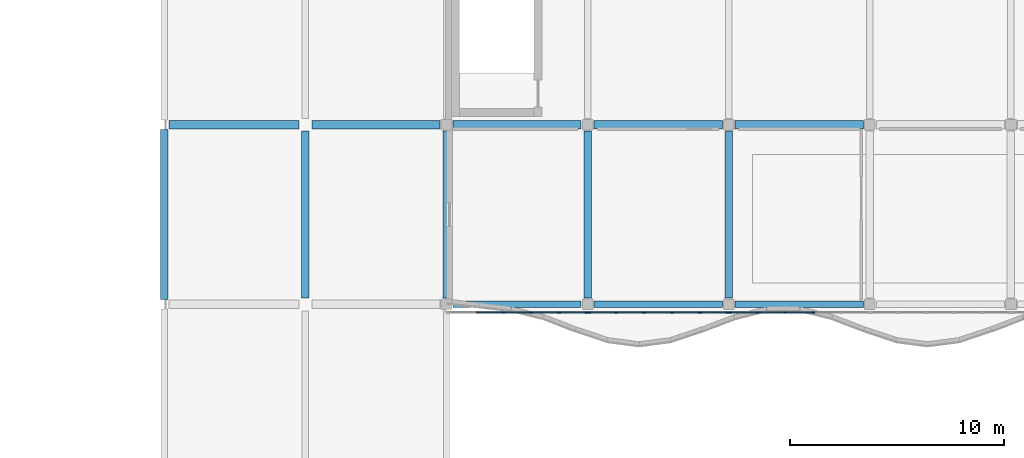
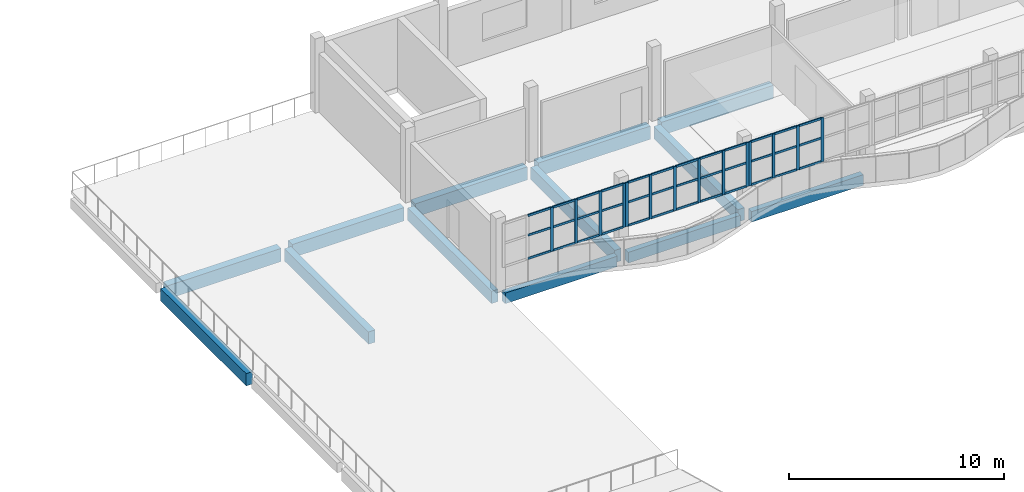
# One storey, part 18 of 78: 50 members, 13 beams, 3 elements without a shape of their own.
"""IFC4 building model written with IfcOpenShell, lengths in metres."""

from ifc_helpers import new_model, si_unit, direction, frame, origin, origin_2d, place, context, subcontext, project, spatial, rectangle, extrude, material, material_profile, profile_set, type_object, element, aggregate, save


model = new_model("IFC4")

# Units and contexts
model_context = context("Model", 3, precision=1e-05, world=origin(), true_north=direction((0.0, 1.0)))
body_context = subcontext(model_context, "Body", "Model", "MODEL_VIEW")
ifc_project = project(units=[si_unit("LENGTHUNIT", "METRE"), si_unit("AREAUNIT", "SQUARE_METRE"), si_unit("VOLUMEUNIT", "CUBIC_METRE"), si_unit("PLANEANGLEUNIT", "RADIAN"), si_unit("MASSUNIT", "GRAM", prefix="KILO")], contexts=[model_context])

# Site, building, storey
site_placement = place(None, origin())
site = spatial("IfcSite", under=ifc_project, at=site_placement, CompositionType="ELEMENT")
building_placement = place(site_placement, origin())
building = spatial("IfcBuilding", under=site, at=building_placement, Name="Qaldarim Faculty of Natural and Applied Sciences", CompositionType="ELEMENT")
storey_placement = place(building_placement, frame((0.0, 0.0, 18.60009765625)))
storey = spatial("IfcBuildingStorey", under=building, at=storey_placement, Name="L04", CompositionType="ELEMENT", Elevation=18.60009765625)

# Beams
ifc_material_1 = material(Name="Concrete C50/60", Category="concrete")
ifc_material_profile_1 = material_profile(ifc_material_1, rectangle(XDim=0.39990234375, YDim=0.75, at=origin_2d()), Name="RC-B400x750")
ifc_profile_set_1 = profile_set([ifc_material_profile_1], Name="Concrete C50/60")
beam_type_1 = type_object("IfcBeamType", Name="LabGirder-RC400x750", PredefinedType="BEAM", material=ifc_profile_set_1)
beam_1_placement = place(storey_placement, frame((33.22509765625, 109.199951171875, -0.635009765625), z_axis=(1.0, 0.0, 0.0), x_axis=(0.0, 1.0, 0.0)))
element("IfcBeam", 1, at=beam_1_placement, inside=storey, type_object=beam_type_1, Name="Beam RC-B400x750 L03 X06-X07/Y14", PredefinedType="BEAM", context=body_context, shape_type="SweptSolid", body=[
    extrude(rectangle(XDim=0.39990234375, YDim=0.75, at=origin_2d()), origin(), (0.0, 0.0, 1.0), 6.074951171875),
])
for number, where, z_axis, x_axis, name in (
    (2, (39.89990234375, 109.199951171875, -0.635009765625), (1.0, 0.0, 0.0), (0.0, 1.0, 0.0), "Beam RC-B400x750 L03 X07-X08/Y14"),
    (3, (46.5, 109.199951171875, -0.635009765625), (1.0, 0.0, 0.0), (0.0, 1.0, 0.0), "Beam RC-B400x750 L03 X08-X09/Y14"),
    (4, (53.10009765625, 109.199951171875, -0.635009765625), (1.0, 0.0, 0.0), (0.0, 1.0, 0.0), "Beam RC-B400x750 L03 X09-X10/Y14"),
    (5, (59.699951171875, 109.199951171875, -0.635009765625), (1.0, 0.0, 0.0), (0.0, 1.0, 0.0), "Beam RC-B400x750 L03 X10-X11/Y14"),
):
    element("IfcBeam", number, at=place(storey_placement, frame(where, z_axis=z_axis, x_axis=x_axis)), inside=storey, type_object=beam_type_1, Name=name, PredefinedType="BEAM", context=body_context, shape_type="SweptSolid", body=[
        extrude(rectangle(XDim=0.39990234375, YDim=0.75, at=origin_2d()), origin(), (0.0, 0.0, 1.0), 6.0),
    ])

# Curtain wall, members
ifc_material_2 = material(Name="Anodised aluminium AW-6063", Category="aluminium")
curtain_wall_type = type_object("IfcCurtainWallType", Name="CurtainWallSystem-M1400", PredefinedType="USERDEFINED", material=ifc_material_2)
curtain_wall_1_placement = place(storey_placement, origin())
curtain_wall_1 = element("IfcCurtainWall", 6, at=curtain_wall_1_placement, inside=storey, type_object=curtain_wall_type, Name="Curtain wall CW-V4RIB-L04-X08", ObjectType="STICK CURTAIN WALL", PredefinedType="USERDEFINED")
ifc_material_profile_2 = material_profile(ifc_material_2, rectangle(XDim=0.06005859375, YDim=0.14990234375, at=origin_2d()), Name="ALU-M60x150")
ifc_profile_set_2 = profile_set([ifc_material_profile_2], Name="Anodised aluminium AW-6063")
member_type_1 = type_object("IfcMemberType", Name="Mullion-ALU60x150", PredefinedType="MULLION", material=ifc_profile_set_2)
member_1_placement = place(storey_placement, frame((48.847900390625, 100.419921875, 1.449951171875), z_axis=(0.0, 0.0, 1.0), x_axis=(0.0, 1.0, 0.0)))
member_1 = element("IfcMember", 7, at=member_1_placement, type_object=member_type_1, Name="Mullion 3 of CW-V4RIB-L04-X08", PredefinedType="MULLION", context=body_context, shape_type="SweptSolid", body=[
    extrude(rectangle(XDim=0.06005859375, YDim=0.14990234375, at=origin_2d()), origin(), (0.0, 0.0, 1.0), 2.489990234375),
])
member_2_placement = place(storey_placement, frame((50.152099609375, 100.419921875, 1.449951171875), z_axis=(0.0, 0.0, 1.0), x_axis=(0.0, 1.0, 0.0)))
member_2 = element("IfcMember", 8, at=member_2_placement, type_object=member_type_1, Name="Mullion 4 of CW-V4RIB-L04-X08", PredefinedType="MULLION", context=body_context, shape_type="SweptSolid", body=[
    extrude(rectangle(XDim=0.06005859375, YDim=0.14990234375, at=origin_2d()), origin(), (0.0, 0.0, 1.0), 2.489990234375),
])
member_3_placement = place(storey_placement, frame((51.4560546875, 100.419921875, 1.449951171875), z_axis=(0.0, 0.0, 1.0), x_axis=(0.0, 1.0, 0.0)))
member_3 = element("IfcMember", 9, at=member_3_placement, type_object=member_type_1, Name="Mullion 5 of CW-V4RIB-L04-X08", PredefinedType="MULLION", context=body_context, shape_type="SweptSolid", body=[
    extrude(rectangle(XDim=0.06005859375, YDim=0.14990234375, at=origin_2d()), origin(), (0.0, 0.0, 1.0), 2.489990234375),
])
member_4_placement = place(storey_placement, frame((52.72998046875, 100.419921875, 1.449951171875), z_axis=(0.0, 0.0, 1.0), x_axis=(0.0, 1.0, 0.0)))
member_4 = element("IfcMember", 10, at=member_4_placement, type_object=member_type_1, Name="Mullion 6 of CW-V4RIB-L04-X08", PredefinedType="MULLION", context=body_context, shape_type="SweptSolid", body=[
    extrude(rectangle(XDim=0.06005859375, YDim=0.14990234375, at=origin_2d()), origin(), (0.0, 0.0, 1.0), 2.489990234375),
])

curtain_wall_2_placement = place(storey_placement, origin())
curtain_wall_2 = element("IfcCurtainWall", 11, at=curtain_wall_2_placement, inside=storey, type_object=curtain_wall_type, Name="Curtain wall CW-V4RIB-L04-X09", ObjectType="STICK CURTAIN WALL", PredefinedType="USERDEFINED")
member_5_placement = place(storey_placement, frame((52.8701171875, 100.419921875, 1.449951171875), z_axis=(0.0, 0.0, 1.0), x_axis=(0.0, 1.0, 0.0)))
member_5 = element("IfcMember", 12, at=member_5_placement, type_object=member_type_1, Name="Mullion 1 of CW-V4RIB-L04-X09", PredefinedType="MULLION", context=body_context, shape_type="SweptSolid", body=[
    extrude(rectangle(XDim=0.06005859375, YDim=0.14990234375, at=origin_2d()), origin(), (0.0, 0.0, 1.0), 2.489990234375),
])
member_6_placement = place(storey_placement, frame((54.14404296875, 100.419921875, 1.449951171875), z_axis=(0.0, 0.0, 1.0), x_axis=(0.0, 1.0, 0.0)))
member_6 = element("IfcMember", 13, at=member_6_placement, type_object=member_type_1, Name="Mullion 2 of CW-V4RIB-L04-X09", PredefinedType="MULLION", context=body_context, shape_type="SweptSolid", body=[
    extrude(rectangle(XDim=0.06005859375, YDim=0.14990234375, at=origin_2d()), origin(), (0.0, 0.0, 1.0), 2.489990234375),
])
member_7_placement = place(storey_placement, frame((55.447998046875, 100.419921875, 1.449951171875), z_axis=(0.0, 0.0, 1.0), x_axis=(0.0, 1.0, 0.0)))
member_7 = element("IfcMember", 14, at=member_7_placement, type_object=member_type_1, Name="Mullion 3 of CW-V4RIB-L04-X09", PredefinedType="MULLION", context=body_context, shape_type="SweptSolid", body=[
    extrude(rectangle(XDim=0.06005859375, YDim=0.14990234375, at=origin_2d()), origin(), (0.0, 0.0, 1.0), 2.489990234375),
])
member_8_placement = place(storey_placement, frame((56.751953125, 100.419921875, 1.449951171875), z_axis=(0.0, 0.0, 1.0), x_axis=(0.0, 1.0, 0.0)))
member_8 = element("IfcMember", 15, at=member_8_placement, type_object=member_type_1, Name="Mullion 4 of CW-V4RIB-L04-X09", PredefinedType="MULLION", context=body_context, shape_type="SweptSolid", body=[
    extrude(rectangle(XDim=0.06005859375, YDim=0.14990234375, at=origin_2d()), origin(), (0.0, 0.0, 1.0), 2.489990234375),
])
member_9_placement = place(storey_placement, frame((58.055908203125, 100.419921875, 1.449951171875), z_axis=(0.0, 0.0, 1.0), x_axis=(0.0, 1.0, 0.0)))
member_9 = element("IfcMember", 16, at=member_9_placement, type_object=member_type_1, Name="Mullion 5 of CW-V4RIB-L04-X09", PredefinedType="MULLION", context=body_context, shape_type="SweptSolid", body=[
    extrude(rectangle(XDim=0.06005859375, YDim=0.14990234375, at=origin_2d()), origin(), (0.0, 0.0, 1.0), 2.489990234375),
])
member_10_placement = place(storey_placement, frame((59.330078125, 100.419921875, 1.449951171875), z_axis=(0.0, 0.0, 1.0), x_axis=(0.0, 1.0, 0.0)))
member_10 = element("IfcMember", 17, at=member_10_placement, type_object=member_type_1, Name="Mullion 6 of CW-V4RIB-L04-X09", PredefinedType="MULLION", context=body_context, shape_type="SweptSolid", body=[
    extrude(rectangle(XDim=0.06005859375, YDim=0.14990234375, at=origin_2d()), origin(), (0.0, 0.0, 1.0), 2.489990234375),
])

curtain_wall_3_placement = place(storey_placement, origin())
curtain_wall_3 = element("IfcCurtainWall", 18, at=curtain_wall_3_placement, inside=storey, type_object=curtain_wall_type, Name="Curtain wall CW-V4RIB-L04-X10", ObjectType="STICK CURTAIN WALL", PredefinedType="USERDEFINED")
member_11_placement = place(storey_placement, frame((59.469970703125, 100.419921875, 1.449951171875), z_axis=(0.0, 0.0, 1.0), x_axis=(0.0, 1.0, 0.0)))
member_11 = element("IfcMember", 19, at=member_11_placement, type_object=member_type_1, Name="Mullion 1 of CW-V4RIB-L04-X10", PredefinedType="MULLION", context=body_context, shape_type="SweptSolid", body=[
    extrude(rectangle(XDim=0.06005859375, YDim=0.14990234375, at=origin_2d()), origin(), (0.0, 0.0, 1.0), 2.489990234375),
])
member_12_placement = place(storey_placement, frame((60.743896484375, 100.419921875, 1.449951171875), z_axis=(0.0, 0.0, 1.0), x_axis=(0.0, 1.0, 0.0)))
member_12 = element("IfcMember", 20, at=member_12_placement, type_object=member_type_1, Name="Mullion 2 of CW-V4RIB-L04-X10", PredefinedType="MULLION", context=body_context, shape_type="SweptSolid", body=[
    extrude(rectangle(XDim=0.06005859375, YDim=0.14990234375, at=origin_2d()), origin(), (0.0, 0.0, 1.0), 2.489990234375),
])
member_13_placement = place(storey_placement, frame((62.048095703125, 100.419921875, 1.449951171875), z_axis=(0.0, 0.0, 1.0), x_axis=(0.0, 1.0, 0.0)))
member_13 = element("IfcMember", 21, at=member_13_placement, type_object=member_type_1, Name="Mullion 3 of CW-V4RIB-L04-X10", PredefinedType="MULLION", context=body_context, shape_type="SweptSolid", body=[
    extrude(rectangle(XDim=0.06005859375, YDim=0.14990234375, at=origin_2d()), origin(), (0.0, 0.0, 1.0), 2.489990234375),
])
member_14_placement = place(storey_placement, frame((63.35205078125, 100.419921875, 1.449951171875), z_axis=(0.0, 0.0, 1.0), x_axis=(0.0, 1.0, 0.0)))
member_14 = element("IfcMember", 22, at=member_14_placement, type_object=member_type_1, Name="Mullion 4 of CW-V4RIB-L04-X10", PredefinedType="MULLION", context=body_context, shape_type="SweptSolid", body=[
    extrude(rectangle(XDim=0.06005859375, YDim=0.14990234375, at=origin_2d()), origin(), (0.0, 0.0, 1.0), 2.489990234375),
])

# Beams
ifc_material_3 = material(Name="Concrete C40/50", Category="concrete")
ifc_material_profile_3 = material_profile(ifc_material_3, rectangle(XDim=0.35009765625, YDim=0.699951171875, at=origin_2d()), Name="RC-B350x700")
ifc_profile_set_3 = profile_set([ifc_material_profile_3], Name="Concrete C40/50")
beam_type_2 = type_object("IfcBeamType", Name="PrimaryGirder-RC350x700", PredefinedType="BEAM", material=ifc_profile_set_3)
beam_2_placement = place(storey_placement, frame((33.0, 101.02490234375, -0.610107421875), z_axis=(0.0, 1.0, 0.0), x_axis=(-1.0, 0.0, 0.0)))
element("IfcBeam", 23, at=beam_2_placement, inside=storey, type_object=beam_type_2, Name="Beam RC-B350x700 L03 X06/Y13-Y14", PredefinedType="BEAM", context=body_context, shape_type="SweptSolid", body=[
    extrude(rectangle(XDim=0.35009765625, YDim=0.699951171875, at=origin_2d()), origin(), (0.0, 0.0, 1.0), 7.9501953125),
])
for number, where, z_axis, x_axis, name in (
    (24, (39.60009765625, 101.10009765625, -0.610107421875), (0.0, 1.0, 0.0), (-1.0, 0.0, 0.0), "Beam RC-B350x700 L03 X07/Y13-Y14"),
    (25, (46.199951171875, 101.10009765625, -0.610107421875), (0.0, 1.0, 0.0), (-1.0, 0.0, 0.0), "Beam RC-B350x700 L03 X08/Y13-Y14"),
    (26, (52.800048828125, 101.10009765625, -0.610107421875), (0.0, 1.0, 0.0), (-1.0, 0.0, 0.0), "Beam RC-B350x700 L03 X09/Y13-Y14"),
    (27, (59.39990234375, 101.10009765625, -0.610107421875), (0.0, 1.0, 0.0), (-1.0, 0.0, 0.0), "Beam RC-B350x700 L03 X10/Y13-Y14"),
):
    element("IfcBeam", number, at=place(storey_placement, frame(where, z_axis=z_axis, x_axis=x_axis)), inside=storey, type_object=beam_type_2, Name=name, PredefinedType="BEAM", context=body_context, shape_type="SweptSolid", body=[
        extrude(rectangle(XDim=0.35009765625, YDim=0.699951171875, at=origin_2d()), origin(), (0.0, 0.0, 1.0), 7.7998046875),
    ])
ifc_material_4 = material(Name="Precast concrete C40/50", Category="concrete")
ifc_material_profile_4 = material_profile(ifc_material_4, rectangle(XDim=0.300048828125, YDim=0.60009765625, at=origin_2d()), Name="RC-SP300x600")
ifc_profile_set_4 = profile_set([ifc_material_profile_4], Name="Precast concrete C40/50")
beam_type_3 = type_object("IfcBeamType", Name="SpandrelBeam-RC300x600", PredefinedType="SPANDREL", material=ifc_profile_set_4)
for number, where, z_axis, x_axis, name in (
    (28, (46.5, 100.800048828125, -0.56005859375), (1.0, 0.0, 0.0), (0.0, 1.0, 0.0), "Beam RC-SP300x600 L03 X08-X09/Y13"),
    (29, (53.10009765625, 100.800048828125, -0.56005859375), (1.0, 0.0, 0.0), (0.0, 1.0, 0.0), "Beam RC-SP300x600 L03 X09-X10/Y13"),
    (30, (59.699951171875, 100.800048828125, -0.56005859375), (1.0, 0.0, 0.0), (0.0, 1.0, 0.0), "Beam RC-SP300x600 L03 X10-X11/Y13"),
):
    element("IfcBeam", number, at=place(storey_placement, frame(where, z_axis=z_axis, x_axis=x_axis)), inside=storey, type_object=beam_type_3, Name=name, PredefinedType="SPANDREL", context=body_context, shape_type="SweptSolid", body=[
        extrude(rectangle(XDim=0.300048828125, YDim=0.60009765625, at=origin_2d()), origin(), (0.0, 0.0, 1.0), 6.0),
    ])

# Member
ifc_material_profile_5 = material_profile(ifc_material_2, rectangle(XDim=0.06005859375, YDim=0.1201171875, at=origin_2d()), Name="ALU-T60x120")
ifc_profile_set_5 = profile_set([ifc_material_profile_5], Name="Anodised aluminium AW-6063")
member_type_2 = type_object("IfcMemberType", Name="Transom-ALU60x120", PredefinedType="USERDEFINED", material=ifc_profile_set_5)
member_15_placement = place(storey_placement, frame((47.573974609375, 100.419921875, 1.47998046875), z_axis=(1.0, 0.0, 0.0), x_axis=(0.0, 1.0, 0.0)))
member_15 = element("IfcMember", 31, at=member_15_placement, type_object=member_type_2, Name="Transom 2-1 of CW-V4RIB-L04-X08", ObjectType="TRANSOM", PredefinedType="USERDEFINED", context=body_context, shape_type="SweptSolid", body=[
    extrude(rectangle(XDim=0.06005859375, YDim=0.1201171875, at=origin_2d()), origin(), (0.0, 0.0, 1.0), 1.244140625),
])

member_16_placement = place(storey_placement, frame((47.573974609375, 100.419921875, 2.7998046875), z_axis=(1.0, 0.0, 0.0), x_axis=(0.0, 1.0, 0.0)))
member_16 = element("IfcMember", 32, at=member_16_placement, type_object=member_type_2, Name="Transom 2-2 of CW-V4RIB-L04-X08", ObjectType="TRANSOM", PredefinedType="USERDEFINED", context=body_context, shape_type="SweptSolid", body=[
    extrude(rectangle(XDim=0.06005859375, YDim=0.1201171875, at=origin_2d()), origin(), (0.0, 0.0, 1.0), 1.244140625),
])

member_17_placement = place(storey_placement, frame((47.573974609375, 100.419921875, 3.909912109375), z_axis=(1.0, 0.0, 0.0), x_axis=(0.0, 1.0, 0.0)))
member_17 = element("IfcMember", 33, at=member_17_placement, type_object=member_type_2, Name="Transom 2-3 of CW-V4RIB-L04-X08", ObjectType="TRANSOM", PredefinedType="USERDEFINED", context=body_context, shape_type="SweptSolid", body=[
    extrude(rectangle(XDim=0.06005859375, YDim=0.1201171875, at=origin_2d()), origin(), (0.0, 0.0, 1.0), 1.244140625),
])

member_18_placement = place(storey_placement, frame((48.8779296875, 100.419921875, 1.47998046875), z_axis=(1.0, 0.0, 0.0), x_axis=(0.0, 1.0, 0.0)))
member_18 = element("IfcMember", 34, at=member_18_placement, type_object=member_type_2, Name="Transom 3-1 of CW-V4RIB-L04-X08", ObjectType="TRANSOM", PredefinedType="USERDEFINED", context=body_context, shape_type="SweptSolid", body=[
    extrude(rectangle(XDim=0.06005859375, YDim=0.1201171875, at=origin_2d()), origin(), (0.0, 0.0, 1.0), 1.244140625),
])

member_19_placement = place(storey_placement, frame((48.8779296875, 100.419921875, 2.7998046875), z_axis=(1.0, 0.0, 0.0), x_axis=(0.0, 1.0, 0.0)))
member_19 = element("IfcMember", 35, at=member_19_placement, type_object=member_type_2, Name="Transom 3-2 of CW-V4RIB-L04-X08", ObjectType="TRANSOM", PredefinedType="USERDEFINED", context=body_context, shape_type="SweptSolid", body=[
    extrude(rectangle(XDim=0.06005859375, YDim=0.1201171875, at=origin_2d()), origin(), (0.0, 0.0, 1.0), 1.244140625),
])

member_20_placement = place(storey_placement, frame((48.8779296875, 100.419921875, 3.909912109375), z_axis=(1.0, 0.0, 0.0), x_axis=(0.0, 1.0, 0.0)))
member_20 = element("IfcMember", 36, at=member_20_placement, type_object=member_type_2, Name="Transom 3-3 of CW-V4RIB-L04-X08", ObjectType="TRANSOM", PredefinedType="USERDEFINED", context=body_context, shape_type="SweptSolid", body=[
    extrude(rectangle(XDim=0.06005859375, YDim=0.1201171875, at=origin_2d()), origin(), (0.0, 0.0, 1.0), 1.244140625),
])

member_21_placement = place(storey_placement, frame((50.181884765625, 100.419921875, 1.47998046875), z_axis=(1.0, 0.0, 0.0), x_axis=(0.0, 1.0, 0.0)))
member_21 = element("IfcMember", 37, at=member_21_placement, type_object=member_type_2, Name="Transom 4-1 of CW-V4RIB-L04-X08", ObjectType="TRANSOM", PredefinedType="USERDEFINED", context=body_context, shape_type="SweptSolid", body=[
    extrude(rectangle(XDim=0.06005859375, YDim=0.1201171875, at=origin_2d()), origin(), (0.0, 0.0, 1.0), 1.244140625),
])

member_22_placement = place(storey_placement, frame((50.181884765625, 100.419921875, 2.7998046875), z_axis=(1.0, 0.0, 0.0), x_axis=(0.0, 1.0, 0.0)))
member_22 = element("IfcMember", 38, at=member_22_placement, type_object=member_type_2, Name="Transom 4-2 of CW-V4RIB-L04-X08", ObjectType="TRANSOM", PredefinedType="USERDEFINED", context=body_context, shape_type="SweptSolid", body=[
    extrude(rectangle(XDim=0.06005859375, YDim=0.1201171875, at=origin_2d()), origin(), (0.0, 0.0, 1.0), 1.244140625),
])

member_23_placement = place(storey_placement, frame((50.181884765625, 100.419921875, 3.909912109375), z_axis=(1.0, 0.0, 0.0), x_axis=(0.0, 1.0, 0.0)))
member_23 = element("IfcMember", 39, at=member_23_placement, type_object=member_type_2, Name="Transom 4-3 of CW-V4RIB-L04-X08", ObjectType="TRANSOM", PredefinedType="USERDEFINED", context=body_context, shape_type="SweptSolid", body=[
    extrude(rectangle(XDim=0.06005859375, YDim=0.1201171875, at=origin_2d()), origin(), (0.0, 0.0, 1.0), 1.244140625),
])

member_24_placement = place(storey_placement, frame((51.486083984375, 100.419921875, 1.47998046875), z_axis=(1.0, 0.0, 0.0), x_axis=(0.0, 1.0, 0.0)))
member_24 = element("IfcMember", 40, at=member_24_placement, type_object=member_type_2, Name="Transom 5-1 of CW-V4RIB-L04-X08", ObjectType="TRANSOM", PredefinedType="USERDEFINED", context=body_context, shape_type="SweptSolid", body=[
    extrude(rectangle(XDim=0.06005859375, YDim=0.1201171875, at=origin_2d()), origin(), (0.0, 0.0, 1.0), 1.2138671875),
])

member_25_placement = place(storey_placement, frame((51.486083984375, 100.419921875, 2.7998046875), z_axis=(1.0, 0.0, 0.0), x_axis=(0.0, 1.0, 0.0)))
member_25 = element("IfcMember", 41, at=member_25_placement, type_object=member_type_2, Name="Transom 5-2 of CW-V4RIB-L04-X08", ObjectType="TRANSOM", PredefinedType="USERDEFINED", context=body_context, shape_type="SweptSolid", body=[
    extrude(rectangle(XDim=0.06005859375, YDim=0.1201171875, at=origin_2d()), origin(), (0.0, 0.0, 1.0), 1.2138671875),
])

member_26_placement = place(storey_placement, frame((51.486083984375, 100.419921875, 3.909912109375), z_axis=(1.0, 0.0, 0.0), x_axis=(0.0, 1.0, 0.0)))
member_26 = element("IfcMember", 42, at=member_26_placement, type_object=member_type_2, Name="Transom 5-3 of CW-V4RIB-L04-X08", ObjectType="TRANSOM", PredefinedType="USERDEFINED", context=body_context, shape_type="SweptSolid", body=[
    extrude(rectangle(XDim=0.06005859375, YDim=0.1201171875, at=origin_2d()), origin(), (0.0, 0.0, 1.0), 1.2138671875),
])

aggregate(curtain_wall_1, [member_1, member_2, member_3, member_4, member_15, member_16, member_17, member_18, member_19, member_20, member_21, member_22, member_23, member_24, member_25, member_26])

member_27_placement = place(storey_placement, frame((52.89990234375, 100.419921875, 1.47998046875), z_axis=(1.0, 0.0, 0.0), x_axis=(0.0, 1.0, 0.0)))
member_27 = element("IfcMember", 43, at=member_27_placement, type_object=member_type_2, Name="Transom 1-1 of CW-V4RIB-L04-X09", ObjectType="TRANSOM", PredefinedType="USERDEFINED", context=body_context, shape_type="SweptSolid", body=[
    extrude(rectangle(XDim=0.06005859375, YDim=0.1201171875, at=origin_2d()), origin(), (0.0, 0.0, 1.0), 1.214111328125),
])

member_28_placement = place(storey_placement, frame((52.89990234375, 100.419921875, 2.7998046875), z_axis=(1.0, 0.0, 0.0), x_axis=(0.0, 1.0, 0.0)))
member_28 = element("IfcMember", 44, at=member_28_placement, type_object=member_type_2, Name="Transom 1-2 of CW-V4RIB-L04-X09", ObjectType="TRANSOM", PredefinedType="USERDEFINED", context=body_context, shape_type="SweptSolid", body=[
    extrude(rectangle(XDim=0.06005859375, YDim=0.1201171875, at=origin_2d()), origin(), (0.0, 0.0, 1.0), 1.214111328125),
])

member_29_placement = place(storey_placement, frame((52.89990234375, 100.419921875, 3.909912109375), z_axis=(1.0, 0.0, 0.0), x_axis=(0.0, 1.0, 0.0)))
member_29 = element("IfcMember", 45, at=member_29_placement, type_object=member_type_2, Name="Transom 1-3 of CW-V4RIB-L04-X09", ObjectType="TRANSOM", PredefinedType="USERDEFINED", context=body_context, shape_type="SweptSolid", body=[
    extrude(rectangle(XDim=0.06005859375, YDim=0.1201171875, at=origin_2d()), origin(), (0.0, 0.0, 1.0), 1.214111328125),
])

member_30_placement = place(storey_placement, frame((54.174072265625, 100.419921875, 1.47998046875), z_axis=(1.0, 0.0, 0.0), x_axis=(0.0, 1.0, 0.0)))
member_30 = element("IfcMember", 46, at=member_30_placement, type_object=member_type_2, Name="Transom 2-1 of CW-V4RIB-L04-X09", ObjectType="TRANSOM", PredefinedType="USERDEFINED", context=body_context, shape_type="SweptSolid", body=[
    extrude(rectangle(XDim=0.06005859375, YDim=0.1201171875, at=origin_2d()), origin(), (0.0, 0.0, 1.0), 1.243896484375),
])

member_31_placement = place(storey_placement, frame((54.174072265625, 100.419921875, 2.7998046875), z_axis=(1.0, 0.0, 0.0), x_axis=(0.0, 1.0, 0.0)))
member_31 = element("IfcMember", 47, at=member_31_placement, type_object=member_type_2, Name="Transom 2-2 of CW-V4RIB-L04-X09", ObjectType="TRANSOM", PredefinedType="USERDEFINED", context=body_context, shape_type="SweptSolid", body=[
    extrude(rectangle(XDim=0.06005859375, YDim=0.1201171875, at=origin_2d()), origin(), (0.0, 0.0, 1.0), 1.243896484375),
])

member_32_placement = place(storey_placement, frame((54.174072265625, 100.419921875, 3.909912109375), z_axis=(1.0, 0.0, 0.0), x_axis=(0.0, 1.0, 0.0)))
member_32 = element("IfcMember", 48, at=member_32_placement, type_object=member_type_2, Name="Transom 2-3 of CW-V4RIB-L04-X09", ObjectType="TRANSOM", PredefinedType="USERDEFINED", context=body_context, shape_type="SweptSolid", body=[
    extrude(rectangle(XDim=0.06005859375, YDim=0.1201171875, at=origin_2d()), origin(), (0.0, 0.0, 1.0), 1.243896484375),
])

member_33_placement = place(storey_placement, frame((55.47802734375, 100.419921875, 1.47998046875), z_axis=(1.0, 0.0, 0.0), x_axis=(0.0, 1.0, 0.0)))
member_33 = element("IfcMember", 49, at=member_33_placement, type_object=member_type_2, Name="Transom 3-1 of CW-V4RIB-L04-X09", ObjectType="TRANSOM", PredefinedType="USERDEFINED", context=body_context, shape_type="SweptSolid", body=[
    extrude(rectangle(XDim=0.06005859375, YDim=0.1201171875, at=origin_2d()), origin(), (0.0, 0.0, 1.0), 1.243896484375),
])

member_34_placement = place(storey_placement, frame((55.47802734375, 100.419921875, 2.7998046875), z_axis=(1.0, 0.0, 0.0), x_axis=(0.0, 1.0, 0.0)))
member_34 = element("IfcMember", 50, at=member_34_placement, type_object=member_type_2, Name="Transom 3-2 of CW-V4RIB-L04-X09", ObjectType="TRANSOM", PredefinedType="USERDEFINED", context=body_context, shape_type="SweptSolid", body=[
    extrude(rectangle(XDim=0.06005859375, YDim=0.1201171875, at=origin_2d()), origin(), (0.0, 0.0, 1.0), 1.243896484375),
])

member_35_placement = place(storey_placement, frame((55.47802734375, 100.419921875, 3.909912109375), z_axis=(1.0, 0.0, 0.0), x_axis=(0.0, 1.0, 0.0)))
member_35 = element("IfcMember", 51, at=member_35_placement, type_object=member_type_2, Name="Transom 3-3 of CW-V4RIB-L04-X09", ObjectType="TRANSOM", PredefinedType="USERDEFINED", context=body_context, shape_type="SweptSolid", body=[
    extrude(rectangle(XDim=0.06005859375, YDim=0.1201171875, at=origin_2d()), origin(), (0.0, 0.0, 1.0), 1.243896484375),
])

member_36_placement = place(storey_placement, frame((56.781982421875, 100.419921875, 1.47998046875), z_axis=(1.0, 0.0, 0.0), x_axis=(0.0, 1.0, 0.0)))
member_36 = element("IfcMember", 52, at=member_36_placement, type_object=member_type_2, Name="Transom 4-1 of CW-V4RIB-L04-X09", ObjectType="TRANSOM", PredefinedType="USERDEFINED", context=body_context, shape_type="SweptSolid", body=[
    extrude(rectangle(XDim=0.06005859375, YDim=0.1201171875, at=origin_2d()), origin(), (0.0, 0.0, 1.0), 1.243896484375),
])

member_37_placement = place(storey_placement, frame((56.781982421875, 100.419921875, 2.7998046875), z_axis=(1.0, 0.0, 0.0), x_axis=(0.0, 1.0, 0.0)))
member_37 = element("IfcMember", 53, at=member_37_placement, type_object=member_type_2, Name="Transom 4-2 of CW-V4RIB-L04-X09", ObjectType="TRANSOM", PredefinedType="USERDEFINED", context=body_context, shape_type="SweptSolid", body=[
    extrude(rectangle(XDim=0.06005859375, YDim=0.1201171875, at=origin_2d()), origin(), (0.0, 0.0, 1.0), 1.243896484375),
])

member_38_placement = place(storey_placement, frame((56.781982421875, 100.419921875, 3.909912109375), z_axis=(1.0, 0.0, 0.0), x_axis=(0.0, 1.0, 0.0)))
member_38 = element("IfcMember", 54, at=member_38_placement, type_object=member_type_2, Name="Transom 4-3 of CW-V4RIB-L04-X09", ObjectType="TRANSOM", PredefinedType="USERDEFINED", context=body_context, shape_type="SweptSolid", body=[
    extrude(rectangle(XDim=0.06005859375, YDim=0.1201171875, at=origin_2d()), origin(), (0.0, 0.0, 1.0), 1.243896484375),
])

member_39_placement = place(storey_placement, frame((58.0859375, 100.419921875, 1.47998046875), z_axis=(1.0, 0.0, 0.0), x_axis=(0.0, 1.0, 0.0)))
member_39 = element("IfcMember", 55, at=member_39_placement, type_object=member_type_2, Name="Transom 5-1 of CW-V4RIB-L04-X09", ObjectType="TRANSOM", PredefinedType="USERDEFINED", context=body_context, shape_type="SweptSolid", body=[
    extrude(rectangle(XDim=0.06005859375, YDim=0.1201171875, at=origin_2d()), origin(), (0.0, 0.0, 1.0), 1.214111328125),
])

member_40_placement = place(storey_placement, frame((58.0859375, 100.419921875, 2.7998046875), z_axis=(1.0, 0.0, 0.0), x_axis=(0.0, 1.0, 0.0)))
member_40 = element("IfcMember", 56, at=member_40_placement, type_object=member_type_2, Name="Transom 5-2 of CW-V4RIB-L04-X09", ObjectType="TRANSOM", PredefinedType="USERDEFINED", context=body_context, shape_type="SweptSolid", body=[
    extrude(rectangle(XDim=0.06005859375, YDim=0.1201171875, at=origin_2d()), origin(), (0.0, 0.0, 1.0), 1.214111328125),
])

member_41_placement = place(storey_placement, frame((58.0859375, 100.419921875, 3.909912109375), z_axis=(1.0, 0.0, 0.0), x_axis=(0.0, 1.0, 0.0)))
member_41 = element("IfcMember", 57, at=member_41_placement, type_object=member_type_2, Name="Transom 5-3 of CW-V4RIB-L04-X09", ObjectType="TRANSOM", PredefinedType="USERDEFINED", context=body_context, shape_type="SweptSolid", body=[
    extrude(rectangle(XDim=0.06005859375, YDim=0.1201171875, at=origin_2d()), origin(), (0.0, 0.0, 1.0), 1.214111328125),
])

aggregate(curtain_wall_2, [member_5, member_6, member_7, member_8, member_9, member_10, member_27, member_28, member_29, member_30, member_31, member_32, member_33, member_34, member_35, member_36, member_37, member_38, member_39, member_40, member_41])

member_42_placement = place(storey_placement, frame((59.5, 100.419921875, 1.47998046875), z_axis=(1.0, 0.0, 0.0), x_axis=(0.0, 1.0, 0.0)))
member_42 = element("IfcMember", 58, at=member_42_placement, type_object=member_type_2, Name="Transom 1-1 of CW-V4RIB-L04-X10", ObjectType="TRANSOM", PredefinedType="USERDEFINED", context=body_context, shape_type="SweptSolid", body=[
    extrude(rectangle(XDim=0.06005859375, YDim=0.1201171875, at=origin_2d()), origin(), (0.0, 0.0, 1.0), 1.214111328125),
])

member_43_placement = place(storey_placement, frame((59.5, 100.419921875, 2.7998046875), z_axis=(1.0, 0.0, 0.0), x_axis=(0.0, 1.0, 0.0)))
member_43 = element("IfcMember", 59, at=member_43_placement, type_object=member_type_2, Name="Transom 1-2 of CW-V4RIB-L04-X10", ObjectType="TRANSOM", PredefinedType="USERDEFINED", context=body_context, shape_type="SweptSolid", body=[
    extrude(rectangle(XDim=0.06005859375, YDim=0.1201171875, at=origin_2d()), origin(), (0.0, 0.0, 1.0), 1.214111328125),
])

member_44_placement = place(storey_placement, frame((59.5, 100.419921875, 3.909912109375), z_axis=(1.0, 0.0, 0.0), x_axis=(0.0, 1.0, 0.0)))
member_44 = element("IfcMember", 60, at=member_44_placement, type_object=member_type_2, Name="Transom 1-3 of CW-V4RIB-L04-X10", ObjectType="TRANSOM", PredefinedType="USERDEFINED", context=body_context, shape_type="SweptSolid", body=[
    extrude(rectangle(XDim=0.06005859375, YDim=0.1201171875, at=origin_2d()), origin(), (0.0, 0.0, 1.0), 1.214111328125),
])

member_45_placement = place(storey_placement, frame((60.77392578125, 100.419921875, 1.47998046875), z_axis=(1.0, 0.0, 0.0), x_axis=(0.0, 1.0, 0.0)))
member_45 = element("IfcMember", 61, at=member_45_placement, type_object=member_type_2, Name="Transom 2-1 of CW-V4RIB-L04-X10", ObjectType="TRANSOM", PredefinedType="USERDEFINED", context=body_context, shape_type="SweptSolid", body=[
    extrude(rectangle(XDim=0.06005859375, YDim=0.1201171875, at=origin_2d()), origin(), (0.0, 0.0, 1.0), 1.244140625),
])

member_46_placement = place(storey_placement, frame((60.77392578125, 100.419921875, 2.7998046875), z_axis=(1.0, 0.0, 0.0), x_axis=(0.0, 1.0, 0.0)))
member_46 = element("IfcMember", 62, at=member_46_placement, type_object=member_type_2, Name="Transom 2-2 of CW-V4RIB-L04-X10", ObjectType="TRANSOM", PredefinedType="USERDEFINED", context=body_context, shape_type="SweptSolid", body=[
    extrude(rectangle(XDim=0.06005859375, YDim=0.1201171875, at=origin_2d()), origin(), (0.0, 0.0, 1.0), 1.244140625),
])

member_47_placement = place(storey_placement, frame((60.77392578125, 100.419921875, 3.909912109375), z_axis=(1.0, 0.0, 0.0), x_axis=(0.0, 1.0, 0.0)))
member_47 = element("IfcMember", 63, at=member_47_placement, type_object=member_type_2, Name="Transom 2-3 of CW-V4RIB-L04-X10", ObjectType="TRANSOM", PredefinedType="USERDEFINED", context=body_context, shape_type="SweptSolid", body=[
    extrude(rectangle(XDim=0.06005859375, YDim=0.1201171875, at=origin_2d()), origin(), (0.0, 0.0, 1.0), 1.244140625),
])

member_48_placement = place(storey_placement, frame((62.077880859375, 100.419921875, 1.47998046875), z_axis=(1.0, 0.0, 0.0), x_axis=(0.0, 1.0, 0.0)))
member_48 = element("IfcMember", 64, at=member_48_placement, type_object=member_type_2, Name="Transom 3-1 of CW-V4RIB-L04-X10", ObjectType="TRANSOM", PredefinedType="USERDEFINED", context=body_context, shape_type="SweptSolid", body=[
    extrude(rectangle(XDim=0.06005859375, YDim=0.1201171875, at=origin_2d()), origin(), (0.0, 0.0, 1.0), 1.244140625),
])

member_49_placement = place(storey_placement, frame((62.077880859375, 100.419921875, 2.7998046875), z_axis=(1.0, 0.0, 0.0), x_axis=(0.0, 1.0, 0.0)))
member_49 = element("IfcMember", 65, at=member_49_placement, type_object=member_type_2, Name="Transom 3-2 of CW-V4RIB-L04-X10", ObjectType="TRANSOM", PredefinedType="USERDEFINED", context=body_context, shape_type="SweptSolid", body=[
    extrude(rectangle(XDim=0.06005859375, YDim=0.1201171875, at=origin_2d()), origin(), (0.0, 0.0, 1.0), 1.244140625),
])

member_50_placement = place(storey_placement, frame((62.077880859375, 100.419921875, 3.909912109375), z_axis=(1.0, 0.0, 0.0), x_axis=(0.0, 1.0, 0.0)))
member_50 = element("IfcMember", 66, at=member_50_placement, type_object=member_type_2, Name="Transom 3-3 of CW-V4RIB-L04-X10", ObjectType="TRANSOM", PredefinedType="USERDEFINED", context=body_context, shape_type="SweptSolid", body=[
    extrude(rectangle(XDim=0.06005859375, YDim=0.1201171875, at=origin_2d()), origin(), (0.0, 0.0, 1.0), 1.244140625),
])

aggregate(curtain_wall_3, [member_11, member_12, member_13, member_14, member_42, member_43, member_44, member_45, member_46, member_47, member_48, member_49, member_50])

save(model, "model.ifc")
